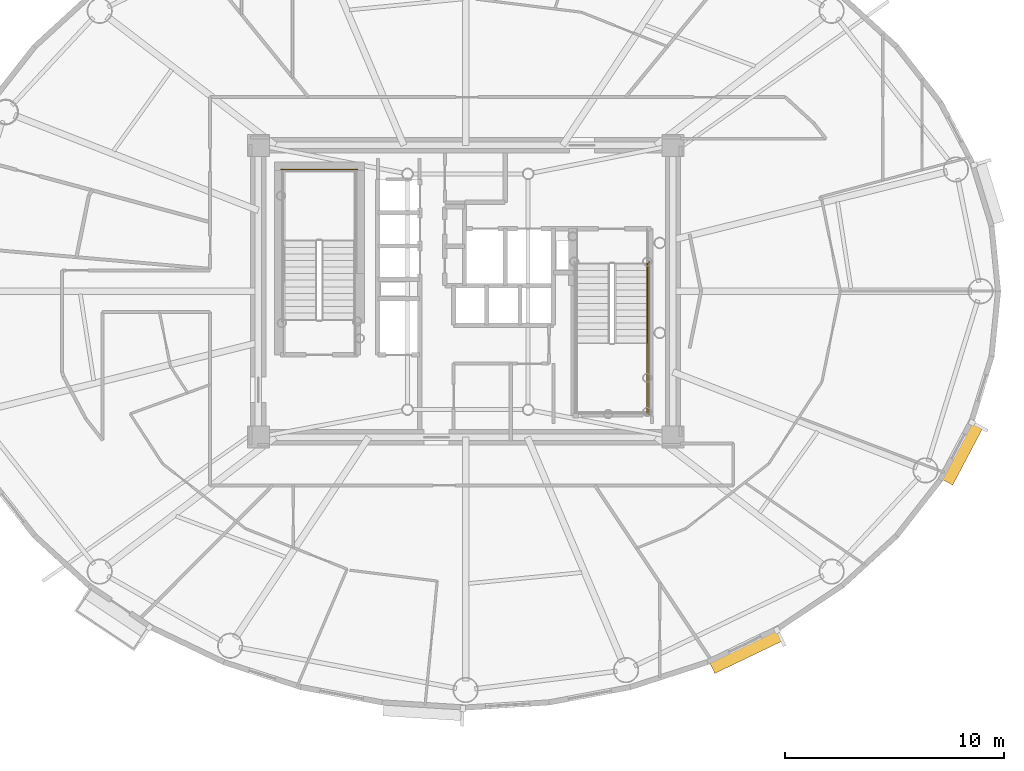
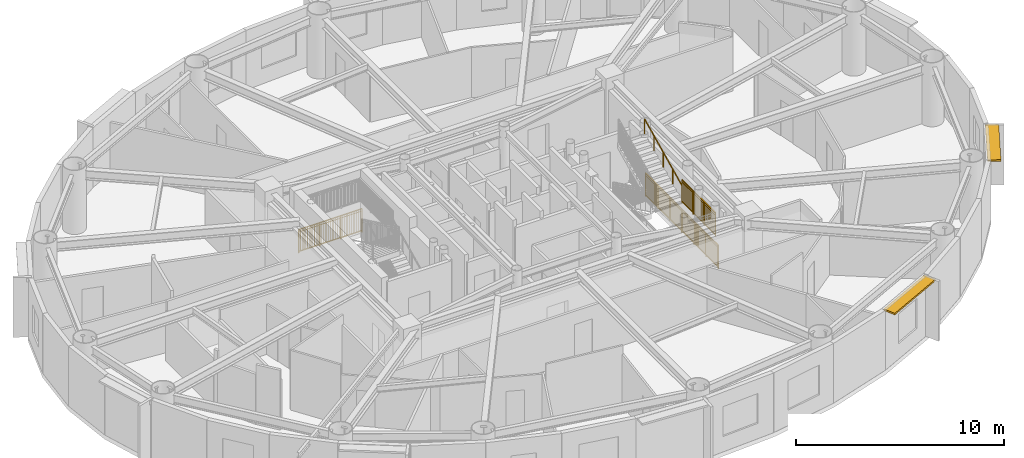
# One storey, part 17 of 18: 4 railings, 2 shading devices.
"""IFC4 building model written with IfcOpenShell, lengths in metres."""

from ifc_helpers import new_model, si_unit, direction, frame, origin, origin_2d, place, context, subcontext, project, spatial, rectangle, extrude, source, transform, mapped, material, layer, layer_set, type_object, element, save


model = new_model("IFC4")

# Units and contexts
model_context = context("Model", 3, precision=1e-05, world=origin(), true_north=direction((0.0, 1.0)))
body_context = subcontext(model_context, "Body", "Model", "MODEL_VIEW")
ifc_project = project(units=[si_unit("LENGTHUNIT", "METRE"), si_unit("AREAUNIT", "SQUARE_METRE"), si_unit("VOLUMEUNIT", "CUBIC_METRE"), si_unit("PLANEANGLEUNIT", "RADIAN"), si_unit("MASSUNIT", "GRAM", prefix="KILO")], contexts=[model_context])

# Site, building, storey
site_placement = place(None, origin())
site = spatial("IfcSite", under=ifc_project, at=site_placement, CompositionType="ELEMENT")
building_placement = place(site_placement, origin())
building = spatial("IfcBuilding", under=site, at=building_placement, Name="Linh Dai School and Residence Tower", CompositionType="ELEMENT")
storey_placement = place(building_placement, frame((0.0, 0.0, 244.050048828125)))
storey = spatial("IfcBuildingStorey", under=building, at=storey_placement, Name="L60", CompositionType="ELEMENT", Elevation=244.050048828125)

# Shading devices
ifc_material_1 = material(Name="Terracotta Ceramic Sunshade", Category="masonry")
ifc_layer = layer(ifc_material_1, 0.10009765625)
ifc_layer_set = layer_set([ifc_layer], Name="Terracotta Ceramic Sunshade")
shading_device_type = type_object("IfcShadingDeviceType", Name="SHD-TC-650", PredefinedType="USERDEFINED", material=ifc_layer_set)
shared_shape_1 = source(origin(), body_context, "Body", "SweptSolid", [
    extrude(rectangle(XDim=3.459716796875, YDim=0.64990234375, at=origin_2d()), origin(), (0.0, 0.0, 1.0), 0.10009765625),
])
shading_device_1_placement = place(storey_placement, frame((48.77880859375, 10.615966796875, 3.3798828125), z_axis=(0.0, 0.0, 1.0), x_axis=(-0.901588864931, -0.432593941973, 0.0)))
element("IfcShadingDevice", 1, at=shading_device_1_placement, inside=storey, type_object=shading_device_type, Name="L60 Terracotta Horizontal Sunshade Band 34", ObjectType="SUNSHADE", PredefinedType="USERDEFINED", context=body_context, shape_type="MappedRepresentation", body=[
    mapped(shared_shape_1, transform((0.0, 0.0, 0.0), x_axis=(1.0, 0.0, 0.0), y_axis=(0.0, 1.0, 0.0), z_axis=(0.0, 0.0, 1.0), scale=1.0)),
])
shared_shape_2 = source(origin(), body_context, "Body", "SweptSolid", [
    extrude(rectangle(XDim=2.986083984375, YDim=0.64990234375, at=origin_2d()), origin(), (0.0, 0.0, 1.0), 0.10009765625),
])
shading_device_2_placement = place(storey_placement, frame((58.614990234375, 19.63623046875, 3.3798828125), z_axis=(0.0, 0.0, 1.0), x_axis=(-0.467621224891, -0.883928950783, 0.0)))
element("IfcShadingDevice", 2, at=shading_device_2_placement, inside=storey, type_object=shading_device_type, Name="L60 Terracotta Horizontal Sunshade Band 38", ObjectType="SUNSHADE", PredefinedType="USERDEFINED", context=body_context, shape_type="MappedRepresentation", body=[
    mapped(shared_shape_2, transform((0.0, 0.0, 0.0), x_axis=(1.0, 0.0, 0.0), y_axis=(0.0, 1.0, 0.0), z_axis=(0.0, 0.0, 1.0), scale=1.0)),
])

# Railings
ifc_material_2 = material(Name="Structural Steel S355JR", Category="steel")
railing_type_1 = type_object("IfcRailingType", Name="RL-ST-GUARD-1400", PredefinedType="GUARDRAIL", material=ifc_material_2)
shared_shape_3 = source(origin(), body_context, "Body", "SweptSolid", [
    extrude(rectangle(XDim=0.048095703125, YDim=0.048095703125, at=origin_2d()), frame((0.0, 0.0, 1.3759765625), z_axis=(-1.0, 0.0, 0.0), x_axis=(0.0, -1.0, 0.0)), (0.0, 0.0, 1.0), 3.5),
    extrude(rectangle(XDim=0.048095703125, YDim=0.048095703125, at=origin_2d()), frame((0.0, 0.0, 0.10009765625), z_axis=(-1.0, 0.0, 0.0), x_axis=(0.0, -1.0, 0.0)), (0.0, 0.0, 1.0), 3.5),
    extrude(rectangle(XDim=0.030029296875, YDim=0.030029296875, at=origin_2d()), frame((0.0, 0.0, 1.239990234375), z_axis=(-1.0, 0.0, 0.0), x_axis=(0.0, -1.0, 0.0)), (0.0, 0.0, 1.0), 3.5),
    extrude(rectangle(XDim=0.02001953125, YDim=0.02001953125, at=origin_2d()), frame((-0.09716796875, 0.0, 0.10009765625)), (0.0, 0.0, 1.0), 1.251708984375),
    extrude(rectangle(XDim=0.02001953125, YDim=0.02001953125, at=origin_2d()), frame((-0.1943359375, 0.0, 0.10009765625)), (0.0, 0.0, 1.0), 1.251708984375),
    extrude(rectangle(XDim=0.02001953125, YDim=0.02001953125, at=origin_2d()), frame((-0.291748046875, 0.0, 0.10009765625)), (0.0, 0.0, 1.0), 1.251708984375),
    extrude(rectangle(XDim=0.02001953125, YDim=0.02001953125, at=origin_2d()), frame((-0.388916015625, 0.0, 0.10009765625)), (0.0, 0.0, 1.0), 1.251708984375),
    extrude(rectangle(XDim=0.02001953125, YDim=0.02001953125, at=origin_2d()), frame((-0.486083984375, 0.0, 0.10009765625)), (0.0, 0.0, 1.0), 1.251708984375),
    extrude(rectangle(XDim=0.02001953125, YDim=0.02001953125, at=origin_2d()), frame((-0.583251953125, 0.0, 0.10009765625)), (0.0, 0.0, 1.0), 1.251708984375),
    extrude(rectangle(XDim=0.02001953125, YDim=0.02001953125, at=origin_2d()), frame((-0.6806640625, 0.0, 0.10009765625)), (0.0, 0.0, 1.0), 1.251708984375),
    extrude(rectangle(XDim=0.02001953125, YDim=0.02001953125, at=origin_2d()), frame((-0.77783203125, 0.0, 0.10009765625)), (0.0, 0.0, 1.0), 1.251708984375),
    extrude(rectangle(XDim=0.02001953125, YDim=0.02001953125, at=origin_2d()), frame((-0.875, 0.0, 0.10009765625)), (0.0, 0.0, 1.0), 1.251708984375),
    extrude(rectangle(XDim=0.02001953125, YDim=0.02001953125, at=origin_2d()), frame((-0.97216796875, 0.0, 0.10009765625)), (0.0, 0.0, 1.0), 1.251708984375),
    extrude(rectangle(XDim=0.02001953125, YDim=0.02001953125, at=origin_2d()), frame((-1.0693359375, 0.0, 0.10009765625)), (0.0, 0.0, 1.0), 1.251708984375),
    extrude(rectangle(XDim=0.02001953125, YDim=0.02001953125, at=origin_2d()), frame((-1.263916015625, 0.0, 0.10009765625)), (0.0, 0.0, 1.0), 1.251708984375),
    extrude(rectangle(XDim=0.02001953125, YDim=0.02001953125, at=origin_2d()), frame((-1.361083984375, 0.0, 0.10009765625)), (0.0, 0.0, 1.0), 1.251708984375),
    extrude(rectangle(XDim=0.02001953125, YDim=0.02001953125, at=origin_2d()), frame((-1.458251953125, 0.0, 0.10009765625)), (0.0, 0.0, 1.0), 1.251708984375),
    extrude(rectangle(XDim=0.02001953125, YDim=0.02001953125, at=origin_2d()), frame((-1.5556640625, 0.0, 0.10009765625)), (0.0, 0.0, 1.0), 1.251708984375),
    extrude(rectangle(XDim=0.02001953125, YDim=0.02001953125, at=origin_2d()), frame((-1.65283203125, 0.0, 0.10009765625)), (0.0, 0.0, 1.0), 1.251708984375),
    extrude(rectangle(XDim=0.02001953125, YDim=0.02001953125, at=origin_2d()), frame((-1.75, 0.0, 0.10009765625)), (0.0, 0.0, 1.0), 1.251708984375),
    extrude(rectangle(XDim=0.02001953125, YDim=0.02001953125, at=origin_2d()), frame((-1.84716796875, 0.0, 0.10009765625)), (0.0, 0.0, 1.0), 1.251708984375),
    extrude(rectangle(XDim=0.02001953125, YDim=0.02001953125, at=origin_2d()), frame((-1.9443359375, 0.0, 0.10009765625)), (0.0, 0.0, 1.0), 1.251708984375),
    extrude(rectangle(XDim=0.02001953125, YDim=0.02001953125, at=origin_2d()), frame((-2.041748046875, 0.0, 0.10009765625)), (0.0, 0.0, 1.0), 1.251708984375),
    extrude(rectangle(XDim=0.02001953125, YDim=0.02001953125, at=origin_2d()), frame((-2.138916015625, 0.0, 0.10009765625)), (0.0, 0.0, 1.0), 1.251708984375),
    extrude(rectangle(XDim=0.02001953125, YDim=0.02001953125, at=origin_2d()), frame((-2.236083984375, 0.0, 0.10009765625)), (0.0, 0.0, 1.0), 1.251708984375),
    extrude(rectangle(XDim=0.02001953125, YDim=0.02001953125, at=origin_2d()), frame((-2.4306640625, 0.0, 0.10009765625)), (0.0, 0.0, 1.0), 1.251708984375),
    extrude(rectangle(XDim=0.02001953125, YDim=0.02001953125, at=origin_2d()), frame((-2.52783203125, 0.0, 0.10009765625)), (0.0, 0.0, 1.0), 1.251708984375),
    extrude(rectangle(XDim=0.02001953125, YDim=0.02001953125, at=origin_2d()), frame((-2.625, 0.0, 0.10009765625)), (0.0, 0.0, 1.0), 1.251708984375),
    extrude(rectangle(XDim=0.02001953125, YDim=0.02001953125, at=origin_2d()), frame((-2.72216796875, 0.0, 0.10009765625)), (0.0, 0.0, 1.0), 1.251708984375),
    extrude(rectangle(XDim=0.02001953125, YDim=0.02001953125, at=origin_2d()), frame((-2.8193359375, 0.0, 0.10009765625)), (0.0, 0.0, 1.0), 1.251708984375),
    extrude(rectangle(XDim=0.02001953125, YDim=0.02001953125, at=origin_2d()), frame((-2.916748046875, 0.0, 0.10009765625)), (0.0, 0.0, 1.0), 1.251708984375),
    extrude(rectangle(XDim=0.02001953125, YDim=0.02001953125, at=origin_2d()), frame((-3.013916015625, 0.0, 0.10009765625)), (0.0, 0.0, 1.0), 1.251708984375),
    extrude(rectangle(XDim=0.02001953125, YDim=0.02001953125, at=origin_2d()), frame((-3.111083984375, 0.0, 0.10009765625)), (0.0, 0.0, 1.0), 1.251708984375),
    extrude(rectangle(XDim=0.02001953125, YDim=0.02001953125, at=origin_2d()), frame((-3.208251953125, 0.0, 0.10009765625)), (0.0, 0.0, 1.0), 1.251708984375),
    extrude(rectangle(XDim=0.02001953125, YDim=0.02001953125, at=origin_2d()), frame((-3.3056640625, 0.0, 0.10009765625)), (0.0, 0.0, 1.0), 1.251708984375),
    extrude(rectangle(XDim=0.02001953125, YDim=0.02001953125, at=origin_2d()), frame((-3.40283203125, 0.0, 0.10009765625)), (0.0, 0.0, 1.0), 1.251708984375),
    extrude(rectangle(XDim=0.0419921875, YDim=0.0419921875, at=origin_2d()), origin(), (0.0, 0.0, 1.0), 1.3759765625),
    extrude(rectangle(XDim=0.0419921875, YDim=0.0419921875, at=origin_2d()), frame((-1.166748046875, 0.0, 0.0)), (0.0, 0.0, 1.0), 1.3759765625),
    extrude(rectangle(XDim=0.0419921875, YDim=0.0419921875, at=origin_2d()), frame((-2.333251953125, 0.0, 0.0)), (0.0, 0.0, 1.0), 1.3759765625),
    extrude(rectangle(XDim=0.0419921875, YDim=0.0419921875, at=origin_2d()), frame((-3.5, 0.0, 0.0)), (0.0, 0.0, 1.0), 1.3759765625),
])
railing_1_placement = place(storey_placement, frame((31.080078125, 32.550048828125, 0.0)))
element("IfcRailing", 3, at=railing_1_placement, inside=storey, type_object=railing_type_1, Name="L60 ST1 stair guard 12", PredefinedType="GUARDRAIL", context=body_context, shape_type="MappedRepresentation", body=[
    mapped(shared_shape_3, transform((0.0, 0.0, 0.0), x_axis=(1.0, 0.0, 0.0), y_axis=(0.0, 1.0, 0.0), z_axis=(0.0, 0.0, 1.0), scale=1.0)),
])
ifc_material_3 = material(Name="Brushed Stainless Steel Handrail", Category="steel")
railing_type_2 = type_object("IfcRailingType", Name="RL-ST-HANDRAIL-900", PredefinedType="HANDRAIL", material=ifc_material_3)
shared_shape_4 = source(origin(), body_context, "Body", "SweptSolid", [
    extrude(rectangle(XDim=0.048095703125, YDim=0.048095703125, at=origin_2d()), frame((0.0, 0.0, 0.8759765625), z_axis=(0.0, 0.901262522062, 0.433273431364), x_axis=(-1.0, 0.0, 0.0)), (0.0, 0.0, 1.0), 3.994384765625),
    extrude(rectangle(XDim=0.0419921875, YDim=0.0419921875, at=origin_2d()), origin(), (0.0, 0.0, 1.0), 0.8759765625),
    extrude(rectangle(XDim=0.0419921875, YDim=0.0419921875, at=origin_2d()), frame((0.0, 0.89990234375, 0.4326171875)), (0.0, 0.0, 1.0), 0.8759765625),
    extrude(rectangle(XDim=0.0419921875, YDim=0.0419921875, at=origin_2d()), frame((0.0, 1.800048828125, 0.865234375)), (0.0, 0.0, 1.0), 0.8759765625),
    extrude(rectangle(XDim=0.0419921875, YDim=0.0419921875, at=origin_2d()), frame((0.0, 2.7001953125, 1.298095703125)), (0.0, 0.0, 1.0), 0.8759765625),
    extrude(rectangle(XDim=0.0419921875, YDim=0.0419921875, at=origin_2d()), frame((0.0, 3.60009765625, 1.730712890625)), (0.0, 0.0, 1.0), 0.8759765625),
])
railing_2_placement = place(storey_placement, frame((44.27001953125, 24.64990234375, 2.019287109375)))
element("IfcRailing", 4, at=railing_2_placement, inside=storey, type_object=railing_type_2, Name="L60 ST2 stair handrail 2", PredefinedType="HANDRAIL", context=body_context, shape_type="MappedRepresentation", body=[
    mapped(shared_shape_4, transform((0.0, 0.0, 0.0), x_axis=(1.0, 0.0, 0.0), y_axis=(0.0, 1.0, 0.0), z_axis=(0.0, 0.0, 1.0), scale=1.0)),
])
shared_shape_5 = source(origin(), body_context, "Body", "SweptSolid", [
    extrude(rectangle(XDim=0.048095703125, YDim=0.048095703125, at=origin_2d()), frame((0.0, 0.0, 1.3759765625), z_axis=(0.0, -1.0, 0.0), x_axis=(1.0, 0.0, 0.0)), (0.0, 0.0, 1.0), 7.0),
    extrude(rectangle(XDim=0.048095703125, YDim=0.048095703125, at=origin_2d()), frame((0.0, 0.0, 0.10009765625), z_axis=(0.0, -1.0, 0.0), x_axis=(1.0, 0.0, 0.0)), (0.0, 0.0, 1.0), 7.0),
    extrude(rectangle(XDim=0.030029296875, YDim=0.030029296875, at=origin_2d()), frame((0.0, 0.0, 1.239990234375), z_axis=(0.0, -1.0, 0.0), x_axis=(1.0, 0.0, 0.0)), (0.0, 0.0, 1.0), 7.0),
    extrude(rectangle(XDim=0.02001953125, YDim=0.02001953125, at=origin_2d()), frame((0.0, -0.09716796875, 0.10009765625)), (0.0, 0.0, 1.0), 1.251708984375),
    extrude(rectangle(XDim=0.02001953125, YDim=0.02001953125, at=origin_2d()), frame((0.0, -0.1943359375, 0.10009765625)), (0.0, 0.0, 1.0), 1.251708984375),
    extrude(rectangle(XDim=0.02001953125, YDim=0.02001953125, at=origin_2d()), frame((0.0, -0.291748046875, 0.10009765625)), (0.0, 0.0, 1.0), 1.251708984375),
    extrude(rectangle(XDim=0.02001953125, YDim=0.02001953125, at=origin_2d()), frame((0.0, -0.388916015625, 0.10009765625)), (0.0, 0.0, 1.0), 1.251708984375),
    extrude(rectangle(XDim=0.02001953125, YDim=0.02001953125, at=origin_2d()), frame((0.0, -0.486083984375, 0.10009765625)), (0.0, 0.0, 1.0), 1.251708984375),
    extrude(rectangle(XDim=0.02001953125, YDim=0.02001953125, at=origin_2d()), frame((0.0, -0.583251953125, 0.10009765625)), (0.0, 0.0, 1.0), 1.251708984375),
    extrude(rectangle(XDim=0.02001953125, YDim=0.02001953125, at=origin_2d()), frame((0.0, -0.6806640625, 0.10009765625)), (0.0, 0.0, 1.0), 1.251708984375),
    extrude(rectangle(XDim=0.02001953125, YDim=0.02001953125, at=origin_2d()), frame((0.0, -0.77783203125, 0.10009765625)), (0.0, 0.0, 1.0), 1.251708984375),
    extrude(rectangle(XDim=0.02001953125, YDim=0.02001953125, at=origin_2d()), frame((0.0, -0.875, 0.10009765625)), (0.0, 0.0, 1.0), 1.251708984375),
    extrude(rectangle(XDim=0.02001953125, YDim=0.02001953125, at=origin_2d()), frame((0.0, -0.97216796875, 0.10009765625)), (0.0, 0.0, 1.0), 1.251708984375),
    extrude(rectangle(XDim=0.02001953125, YDim=0.02001953125, at=origin_2d()), frame((0.0, -1.0693359375, 0.10009765625)), (0.0, 0.0, 1.0), 1.251708984375),
    extrude(rectangle(XDim=0.02001953125, YDim=0.02001953125, at=origin_2d()), frame((0.0, -1.263916015625, 0.10009765625)), (0.0, 0.0, 1.0), 1.251708984375),
    extrude(rectangle(XDim=0.02001953125, YDim=0.02001953125, at=origin_2d()), frame((0.0, -1.361083984375, 0.10009765625)), (0.0, 0.0, 1.0), 1.251708984375),
    extrude(rectangle(XDim=0.02001953125, YDim=0.02001953125, at=origin_2d()), frame((0.0, -1.458251953125, 0.10009765625)), (0.0, 0.0, 1.0), 1.251708984375),
    extrude(rectangle(XDim=0.02001953125, YDim=0.02001953125, at=origin_2d()), frame((0.0, -1.5556640625, 0.10009765625)), (0.0, 0.0, 1.0), 1.251708984375),
    extrude(rectangle(XDim=0.02001953125, YDim=0.02001953125, at=origin_2d()), frame((0.0, -1.65283203125, 0.10009765625)), (0.0, 0.0, 1.0), 1.251708984375),
    extrude(rectangle(XDim=0.02001953125, YDim=0.02001953125, at=origin_2d()), frame((0.0, -1.75, 0.10009765625)), (0.0, 0.0, 1.0), 1.251708984375),
    extrude(rectangle(XDim=0.02001953125, YDim=0.02001953125, at=origin_2d()), frame((0.0, -1.84716796875, 0.10009765625)), (0.0, 0.0, 1.0), 1.251708984375),
    extrude(rectangle(XDim=0.02001953125, YDim=0.02001953125, at=origin_2d()), frame((0.0, -1.9443359375, 0.10009765625)), (0.0, 0.0, 1.0), 1.251708984375),
    extrude(rectangle(XDim=0.02001953125, YDim=0.02001953125, at=origin_2d()), frame((0.0, -2.041748046875, 0.10009765625)), (0.0, 0.0, 1.0), 1.251708984375),
    extrude(rectangle(XDim=0.02001953125, YDim=0.02001953125, at=origin_2d()), frame((0.0, -2.138916015625, 0.10009765625)), (0.0, 0.0, 1.0), 1.251708984375),
    extrude(rectangle(XDim=0.02001953125, YDim=0.02001953125, at=origin_2d()), frame((0.0, -2.236083984375, 0.10009765625)), (0.0, 0.0, 1.0), 1.251708984375),
    extrude(rectangle(XDim=0.02001953125, YDim=0.02001953125, at=origin_2d()), frame((0.0, -2.4306640625, 0.10009765625)), (0.0, 0.0, 1.0), 1.251708984375),
    extrude(rectangle(XDim=0.02001953125, YDim=0.02001953125, at=origin_2d()), frame((0.0, -2.52783203125, 0.10009765625)), (0.0, 0.0, 1.0), 1.251708984375),
    extrude(rectangle(XDim=0.02001953125, YDim=0.02001953125, at=origin_2d()), frame((0.0, -2.625, 0.10009765625)), (0.0, 0.0, 1.0), 1.251708984375),
    extrude(rectangle(XDim=0.02001953125, YDim=0.02001953125, at=origin_2d()), frame((0.0, -2.72216796875, 0.10009765625)), (0.0, 0.0, 1.0), 1.251708984375),
    extrude(rectangle(XDim=0.02001953125, YDim=0.02001953125, at=origin_2d()), frame((0.0, -2.8193359375, 0.10009765625)), (0.0, 0.0, 1.0), 1.251708984375),
    extrude(rectangle(XDim=0.02001953125, YDim=0.02001953125, at=origin_2d()), frame((0.0, -2.916748046875, 0.10009765625)), (0.0, 0.0, 1.0), 1.251708984375),
    extrude(rectangle(XDim=0.02001953125, YDim=0.02001953125, at=origin_2d()), frame((0.0, -3.013916015625, 0.10009765625)), (0.0, 0.0, 1.0), 1.251708984375),
    extrude(rectangle(XDim=0.02001953125, YDim=0.02001953125, at=origin_2d()), frame((0.0, -3.111083984375, 0.10009765625)), (0.0, 0.0, 1.0), 1.251708984375),
    extrude(rectangle(XDim=0.02001953125, YDim=0.02001953125, at=origin_2d()), frame((0.0, -3.208251953125, 0.10009765625)), (0.0, 0.0, 1.0), 1.251708984375),
    extrude(rectangle(XDim=0.02001953125, YDim=0.02001953125, at=origin_2d()), frame((0.0, -3.3056640625, 0.10009765625)), (0.0, 0.0, 1.0), 1.251708984375),
    extrude(rectangle(XDim=0.02001953125, YDim=0.02001953125, at=origin_2d()), frame((0.0, -3.40283203125, 0.10009765625)), (0.0, 0.0, 1.0), 1.251708984375),
    extrude(rectangle(XDim=0.02001953125, YDim=0.02001953125, at=origin_2d()), frame((0.0, -3.59716796875, 0.10009765625)), (0.0, 0.0, 1.0), 1.251708984375),
    extrude(rectangle(XDim=0.02001953125, YDim=0.02001953125, at=origin_2d()), frame((0.0, -3.6943359375, 0.10009765625)), (0.0, 0.0, 1.0), 1.251708984375),
    extrude(rectangle(XDim=0.02001953125, YDim=0.02001953125, at=origin_2d()), frame((0.0, -3.791748046875, 0.10009765625)), (0.0, 0.0, 1.0), 1.251708984375),
    extrude(rectangle(XDim=0.02001953125, YDim=0.02001953125, at=origin_2d()), frame((0.0, -3.888916015625, 0.10009765625)), (0.0, 0.0, 1.0), 1.251708984375),
    extrude(rectangle(XDim=0.02001953125, YDim=0.02001953125, at=origin_2d()), frame((0.0, -3.986083984375, 0.10009765625)), (0.0, 0.0, 1.0), 1.251708984375),
    extrude(rectangle(XDim=0.02001953125, YDim=0.02001953125, at=origin_2d()), frame((0.0, -4.083251953125, 0.10009765625)), (0.0, 0.0, 1.0), 1.251708984375),
    extrude(rectangle(XDim=0.02001953125, YDim=0.02001953125, at=origin_2d()), frame((0.0, -4.1806640625, 0.10009765625)), (0.0, 0.0, 1.0), 1.251708984375),
    extrude(rectangle(XDim=0.02001953125, YDim=0.02001953125, at=origin_2d()), frame((0.0, -4.27783203125, 0.10009765625)), (0.0, 0.0, 1.0), 1.251708984375),
    extrude(rectangle(XDim=0.02001953125, YDim=0.02001953125, at=origin_2d()), frame((0.0, -4.375, 0.10009765625)), (0.0, 0.0, 1.0), 1.251708984375),
    extrude(rectangle(XDim=0.02001953125, YDim=0.02001953125, at=origin_2d()), frame((0.0, -4.47216796875, 0.10009765625)), (0.0, 0.0, 1.0), 1.251708984375),
    extrude(rectangle(XDim=0.02001953125, YDim=0.02001953125, at=origin_2d()), frame((0.0, -4.5693359375, 0.10009765625)), (0.0, 0.0, 1.0), 1.251708984375),
    extrude(rectangle(XDim=0.02001953125, YDim=0.02001953125, at=origin_2d()), frame((0.0, -4.763916015625, 0.10009765625)), (0.0, 0.0, 1.0), 1.251708984375),
    extrude(rectangle(XDim=0.02001953125, YDim=0.02001953125, at=origin_2d()), frame((0.0, -4.861083984375, 0.10009765625)), (0.0, 0.0, 1.0), 1.251708984375),
    extrude(rectangle(XDim=0.02001953125, YDim=0.02001953125, at=origin_2d()), frame((0.0, -4.958251953125, 0.10009765625)), (0.0, 0.0, 1.0), 1.251708984375),
    extrude(rectangle(XDim=0.02001953125, YDim=0.02001953125, at=origin_2d()), frame((0.0, -5.0556640625, 0.10009765625)), (0.0, 0.0, 1.0), 1.251708984375),
    extrude(rectangle(XDim=0.02001953125, YDim=0.02001953125, at=origin_2d()), frame((0.0, -5.15283203125, 0.10009765625)), (0.0, 0.0, 1.0), 1.251708984375),
    extrude(rectangle(XDim=0.02001953125, YDim=0.02001953125, at=origin_2d()), frame((0.0, -5.25, 0.10009765625)), (0.0, 0.0, 1.0), 1.251708984375),
    extrude(rectangle(XDim=0.02001953125, YDim=0.02001953125, at=origin_2d()), frame((0.0, -5.34716796875, 0.10009765625)), (0.0, 0.0, 1.0), 1.251708984375),
    extrude(rectangle(XDim=0.02001953125, YDim=0.02001953125, at=origin_2d()), frame((0.0, -5.4443359375, 0.10009765625)), (0.0, 0.0, 1.0), 1.251708984375),
    extrude(rectangle(XDim=0.02001953125, YDim=0.02001953125, at=origin_2d()), frame((0.0, -5.541748046875, 0.10009765625)), (0.0, 0.0, 1.0), 1.251708984375),
    extrude(rectangle(XDim=0.02001953125, YDim=0.02001953125, at=origin_2d()), frame((0.0, -5.638916015625, 0.10009765625)), (0.0, 0.0, 1.0), 1.251708984375),
    extrude(rectangle(XDim=0.02001953125, YDim=0.02001953125, at=origin_2d()), frame((0.0, -5.736083984375, 0.10009765625)), (0.0, 0.0, 1.0), 1.251708984375),
    extrude(rectangle(XDim=0.02001953125, YDim=0.02001953125, at=origin_2d()), frame((0.0, -5.9306640625, 0.10009765625)), (0.0, 0.0, 1.0), 1.251708984375),
    extrude(rectangle(XDim=0.02001953125, YDim=0.02001953125, at=origin_2d()), frame((0.0, -6.02783203125, 0.10009765625)), (0.0, 0.0, 1.0), 1.251708984375),
    extrude(rectangle(XDim=0.02001953125, YDim=0.02001953125, at=origin_2d()), frame((0.0, -6.125, 0.10009765625)), (0.0, 0.0, 1.0), 1.251708984375),
    extrude(rectangle(XDim=0.02001953125, YDim=0.02001953125, at=origin_2d()), frame((0.0, -6.22216796875, 0.10009765625)), (0.0, 0.0, 1.0), 1.251708984375),
    extrude(rectangle(XDim=0.02001953125, YDim=0.02001953125, at=origin_2d()), frame((0.0, -6.3193359375, 0.10009765625)), (0.0, 0.0, 1.0), 1.251708984375),
    extrude(rectangle(XDim=0.02001953125, YDim=0.02001953125, at=origin_2d()), frame((0.0, -6.416748046875, 0.10009765625)), (0.0, 0.0, 1.0), 1.251708984375),
    extrude(rectangle(XDim=0.02001953125, YDim=0.02001953125, at=origin_2d()), frame((0.0, -6.513916015625, 0.10009765625)), (0.0, 0.0, 1.0), 1.251708984375),
    extrude(rectangle(XDim=0.02001953125, YDim=0.02001953125, at=origin_2d()), frame((0.0, -6.611083984375, 0.10009765625)), (0.0, 0.0, 1.0), 1.251708984375),
    extrude(rectangle(XDim=0.02001953125, YDim=0.02001953125, at=origin_2d()), frame((0.0, -6.708251953125, 0.10009765625)), (0.0, 0.0, 1.0), 1.251708984375),
    extrude(rectangle(XDim=0.02001953125, YDim=0.02001953125, at=origin_2d()), frame((0.0, -6.8056640625, 0.10009765625)), (0.0, 0.0, 1.0), 1.251708984375),
    extrude(rectangle(XDim=0.02001953125, YDim=0.02001953125, at=origin_2d()), frame((0.0, -6.90283203125, 0.10009765625)), (0.0, 0.0, 1.0), 1.251708984375),
    extrude(rectangle(XDim=0.0419921875, YDim=0.0419921875, at=origin_2d()), origin(), (0.0, 0.0, 1.0), 1.3759765625),
    extrude(rectangle(XDim=0.0419921875, YDim=0.0419921875, at=origin_2d()), frame((0.0, -1.166748046875, 0.0)), (0.0, 0.0, 1.0), 1.3759765625),
    extrude(rectangle(XDim=0.0419921875, YDim=0.0419921875, at=origin_2d()), frame((0.0, -2.333251953125, 0.0)), (0.0, 0.0, 1.0), 1.3759765625),
    extrude(rectangle(XDim=0.0419921875, YDim=0.0419921875, at=origin_2d()), frame((0.0, -3.5, 0.0)), (0.0, 0.0, 1.0), 1.3759765625),
    extrude(rectangle(XDim=0.0419921875, YDim=0.0419921875, at=origin_2d()), frame((0.0, -4.666748046875, 0.0)), (0.0, 0.0, 1.0), 1.3759765625),
    extrude(rectangle(XDim=0.0419921875, YDim=0.0419921875, at=origin_2d()), frame((0.0, -5.833251953125, 0.0)), (0.0, 0.0, 1.0), 1.3759765625),
    extrude(rectangle(XDim=0.0419921875, YDim=0.0419921875, at=origin_2d()), frame((0.0, -7.0, 0.0)), (0.0, 0.0, 1.0), 1.3759765625),
])
railing_3_placement = place(storey_placement, frame((44.3701171875, 28.35009765625, 0.0)))
element("IfcRailing", 5, at=railing_3_placement, inside=storey, type_object=railing_type_1, Name="L60 ST2 stair guard 11", PredefinedType="GUARDRAIL", context=body_context, shape_type="MappedRepresentation", body=[
    mapped(shared_shape_5, transform((0.0, 0.0, 0.0), x_axis=(1.0, 0.0, 0.0), y_axis=(0.0, 1.0, 0.0), z_axis=(0.0, 0.0, 1.0), scale=1.0)),
])
shared_shape_6 = source(origin(), body_context, "Body", "SweptSolid", [
    extrude(rectangle(XDim=0.048095703125, YDim=0.048095703125, at=origin_2d()), frame((0.0, 0.0, 1.3759765625), z_axis=(0.0, -1.0, 0.0), x_axis=(1.0, 0.0, 0.0)), (0.0, 0.0, 1.0), 3.199951171875),
    extrude(rectangle(XDim=0.048095703125, YDim=0.048095703125, at=origin_2d()), frame((0.0, 0.0, 0.10009765625), z_axis=(0.0, -1.0, 0.0), x_axis=(1.0, 0.0, 0.0)), (0.0, 0.0, 1.0), 3.199951171875),
    extrude(rectangle(XDim=0.030029296875, YDim=0.030029296875, at=origin_2d()), frame((0.0, 0.0, 1.239990234375), z_axis=(0.0, -1.0, 0.0), x_axis=(1.0, 0.0, 0.0)), (0.0, 0.0, 1.0), 3.199951171875),
    extrude(rectangle(XDim=0.02001953125, YDim=0.02001953125, at=origin_2d()), frame((0.0, -0.096923828125, 0.10009765625)), (0.0, 0.0, 1.0), 1.251708984375),
    extrude(rectangle(XDim=0.02001953125, YDim=0.02001953125, at=origin_2d()), frame((0.0, -0.19384765625, 0.10009765625)), (0.0, 0.0, 1.0), 1.251708984375),
    extrude(rectangle(XDim=0.02001953125, YDim=0.02001953125, at=origin_2d()), frame((0.0, -0.291015625, 0.10009765625)), (0.0, 0.0, 1.0), 1.251708984375),
    extrude(rectangle(XDim=0.02001953125, YDim=0.02001953125, at=origin_2d()), frame((0.0, -0.387939453125, 0.10009765625)), (0.0, 0.0, 1.0), 1.251708984375),
    extrude(rectangle(XDim=0.02001953125, YDim=0.02001953125, at=origin_2d()), frame((0.0, -0.48486328125, 0.10009765625)), (0.0, 0.0, 1.0), 1.251708984375),
    extrude(rectangle(XDim=0.02001953125, YDim=0.02001953125, at=origin_2d()), frame((0.0, -0.581787109375, 0.10009765625)), (0.0, 0.0, 1.0), 1.251708984375),
    extrude(rectangle(XDim=0.02001953125, YDim=0.02001953125, at=origin_2d()), frame((0.0, -0.6787109375, 0.10009765625)), (0.0, 0.0, 1.0), 1.251708984375),
    extrude(rectangle(XDim=0.02001953125, YDim=0.02001953125, at=origin_2d()), frame((0.0, -0.775634765625, 0.10009765625)), (0.0, 0.0, 1.0), 1.251708984375),
    extrude(rectangle(XDim=0.02001953125, YDim=0.02001953125, at=origin_2d()), frame((0.0, -0.872802734375, 0.10009765625)), (0.0, 0.0, 1.0), 1.251708984375),
    extrude(rectangle(XDim=0.02001953125, YDim=0.02001953125, at=origin_2d()), frame((0.0, -0.9697265625, 0.10009765625)), (0.0, 0.0, 1.0), 1.251708984375),
    extrude(rectangle(XDim=0.02001953125, YDim=0.02001953125, at=origin_2d()), frame((0.0, -1.16357421875, 0.10009765625)), (0.0, 0.0, 1.0), 1.251708984375),
    extrude(rectangle(XDim=0.02001953125, YDim=0.02001953125, at=origin_2d()), frame((0.0, -1.260498046875, 0.10009765625)), (0.0, 0.0, 1.0), 1.251708984375),
    extrude(rectangle(XDim=0.02001953125, YDim=0.02001953125, at=origin_2d()), frame((0.0, -1.357666015625, 0.10009765625)), (0.0, 0.0, 1.0), 1.251708984375),
    extrude(rectangle(XDim=0.02001953125, YDim=0.02001953125, at=origin_2d()), frame((0.0, -1.45458984375, 0.10009765625)), (0.0, 0.0, 1.0), 1.251708984375),
    extrude(rectangle(XDim=0.02001953125, YDim=0.02001953125, at=origin_2d()), frame((0.0, -1.551513671875, 0.10009765625)), (0.0, 0.0, 1.0), 1.251708984375),
    extrude(rectangle(XDim=0.02001953125, YDim=0.02001953125, at=origin_2d()), frame((0.0, -1.6484375, 0.10009765625)), (0.0, 0.0, 1.0), 1.251708984375),
    extrude(rectangle(XDim=0.02001953125, YDim=0.02001953125, at=origin_2d()), frame((0.0, -1.745361328125, 0.10009765625)), (0.0, 0.0, 1.0), 1.251708984375),
    extrude(rectangle(XDim=0.02001953125, YDim=0.02001953125, at=origin_2d()), frame((0.0, -1.84228515625, 0.10009765625)), (0.0, 0.0, 1.0), 1.251708984375),
    extrude(rectangle(XDim=0.02001953125, YDim=0.02001953125, at=origin_2d()), frame((0.0, -1.939453125, 0.10009765625)), (0.0, 0.0, 1.0), 1.251708984375),
    extrude(rectangle(XDim=0.02001953125, YDim=0.02001953125, at=origin_2d()), frame((0.0, -2.036376953125, 0.10009765625)), (0.0, 0.0, 1.0), 1.251708984375),
    extrude(rectangle(XDim=0.02001953125, YDim=0.02001953125, at=origin_2d()), frame((0.0, -2.230224609375, 0.10009765625)), (0.0, 0.0, 1.0), 1.251708984375),
    extrude(rectangle(XDim=0.02001953125, YDim=0.02001953125, at=origin_2d()), frame((0.0, -2.3271484375, 0.10009765625)), (0.0, 0.0, 1.0), 1.251708984375),
    extrude(rectangle(XDim=0.02001953125, YDim=0.02001953125, at=origin_2d()), frame((0.0, -2.42431640625, 0.10009765625)), (0.0, 0.0, 1.0), 1.251708984375),
    extrude(rectangle(XDim=0.02001953125, YDim=0.02001953125, at=origin_2d()), frame((0.0, -2.521240234375, 0.10009765625)), (0.0, 0.0, 1.0), 1.251708984375),
    extrude(rectangle(XDim=0.02001953125, YDim=0.02001953125, at=origin_2d()), frame((0.0, -2.6181640625, 0.10009765625)), (0.0, 0.0, 1.0), 1.251708984375),
    extrude(rectangle(XDim=0.02001953125, YDim=0.02001953125, at=origin_2d()), frame((0.0, -2.715087890625, 0.10009765625)), (0.0, 0.0, 1.0), 1.251708984375),
    extrude(rectangle(XDim=0.02001953125, YDim=0.02001953125, at=origin_2d()), frame((0.0, -2.81201171875, 0.10009765625)), (0.0, 0.0, 1.0), 1.251708984375),
    extrude(rectangle(XDim=0.02001953125, YDim=0.02001953125, at=origin_2d()), frame((0.0, -2.908935546875, 0.10009765625)), (0.0, 0.0, 1.0), 1.251708984375),
    extrude(rectangle(XDim=0.02001953125, YDim=0.02001953125, at=origin_2d()), frame((0.0, -3.006103515625, 0.10009765625)), (0.0, 0.0, 1.0), 1.251708984375),
    extrude(rectangle(XDim=0.02001953125, YDim=0.02001953125, at=origin_2d()), frame((0.0, -3.10302734375, 0.10009765625)), (0.0, 0.0, 1.0), 1.251708984375),
    extrude(rectangle(XDim=0.0419921875, YDim=0.0419921875, at=origin_2d()), origin(), (0.0, 0.0, 1.0), 1.3759765625),
    extrude(rectangle(XDim=0.0419921875, YDim=0.0419921875, at=origin_2d()), frame((0.0, -1.066650390625, 0.0)), (0.0, 0.0, 1.0), 1.3759765625),
    extrude(rectangle(XDim=0.0419921875, YDim=0.0419921875, at=origin_2d()), frame((0.0, -2.13330078125, 0.0)), (0.0, 0.0, 1.0), 1.3759765625),
    extrude(rectangle(XDim=0.0419921875, YDim=0.0419921875, at=origin_2d()), frame((0.0, -3.199951171875, 0.0)), (0.0, 0.0, 1.0), 1.3759765625),
])
railing_4_placement = place(storey_placement, frame((44.27001953125, 24.64990234375, 1.875)))
element("IfcRailing", 6, at=railing_4_placement, inside=storey, type_object=railing_type_1, Name="L60 ST2 stair guard 4", PredefinedType="GUARDRAIL", context=body_context, shape_type="MappedRepresentation", body=[
    mapped(shared_shape_6, transform((0.0, 0.0, 0.0), x_axis=(1.0, 0.0, 0.0), y_axis=(0.0, 1.0, 0.0), z_axis=(0.0, 0.0, 1.0), scale=1.0)),
])

save(model, "model.ifc")
